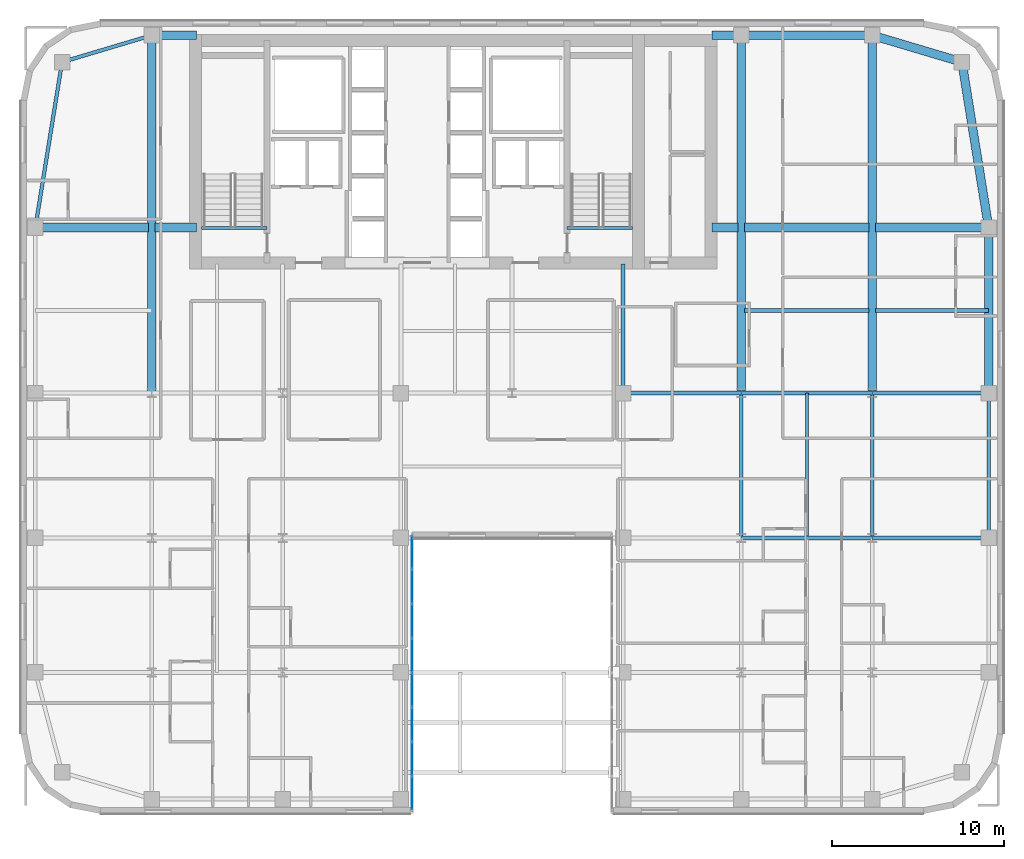
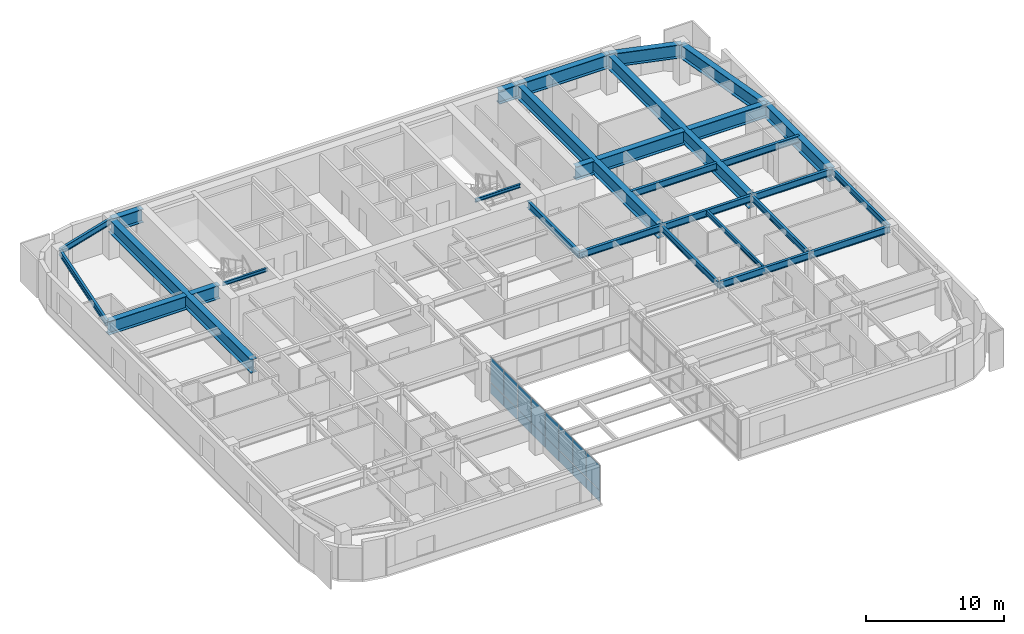
# One storey, part 12 of 24: 30 beams, 16 plates, 1 element without a shape of its own.
"""IFC4 building model written with IfcOpenShell, lengths in metres."""

import ifcopenshell
import ifcopenshell.guid

model = None  # the IFC model being written
_history = None  # IfcOwnerHistory: only IFC2X3 demands one
_inside = {}  # id of a spatial element -> (the spatial element, [elements in it])
_under = {}  # id of a project, library or spatial element -> (it, [spatial elements below it])
_declared = {}  # id of a project -> (the project, [libraries it declares])
_typed = {}  # id of a type object -> (the type object, [elements of that type])
_made_of = {}  # id of a material, layer set ... -> (it, [elements and type objects made of it])


def new_model(schema):
    """Start an empty IFC model of exactly this schema.

    Asked for "IFC4X3", IfcOpenShell would pick the latest addendum, in which some entities
    have other attributes; the version numbers below select the first issue.
    IFC2X3 requires an IfcOwnerHistory on every rooted entity: one is made here for all.
    """
    global model, _history
    if schema == "IFC4X3":
        model = ifcopenshell.file(schema_version=(4, 3, 0, 0))
    else:
        model = ifcopenshell.file(schema=schema)
    _inside.clear()
    _under.clear()
    _declared.clear()
    _typed.clear()
    _made_of.clear()
    _history = None
    if model.schema == "IFC2X3":
        org = make("IfcOrganization", Name="unknown")
        user = make(
            "IfcPersonAndOrganization",
            ThePerson=make("IfcPerson", FamilyName="unknown"),
            TheOrganization=org,
        )
        app = make(
            "IfcApplication",
            ApplicationDeveloper=org,
            Version="unknown",
            ApplicationFullName="unknown",
            ApplicationIdentifier="unknown",
        )
        _history = make(
            "IfcOwnerHistory",
            OwningUser=user,
            OwningApplication=app,
            ChangeAction="ADDED",
            CreationDate=0,
        )
    return model


def make(cls, **values):
    """One entity of the class cls with the attributes given. An attribute that is None is left unset."""
    return model.create_entity(
        cls, **{name: value for name, value in values.items() if value is not None}
    )


def rooted(cls, **values):
    """An entity with a GlobalId (a new one), such as an element, a storey or a relation."""
    return make(cls, GlobalId=ifcopenshell.guid.new(), OwnerHistory=_history, **values)


def si_unit(unit_type, name, prefix=None):
    """IfcSIUnit, for example si_unit("LENGTHUNIT", "METRE", prefix="MILLI")."""
    return make("IfcSIUnit", UnitType=unit_type, Prefix=prefix, Name=name)


def assignment(units):
    """IfcUnitAssignment: the units of a project."""
    return None if units is None else make("IfcUnitAssignment", Units=units)


def point(xyz):
    """IfcCartesianPoint."""
    return None if xyz is None else make("IfcCartesianPoint", Coordinates=xyz)


def direction(xyz):
    """IfcDirection."""
    return None if xyz is None else make("IfcDirection", DirectionRatios=xyz)


def frame(location, z_axis=None, x_axis=None):
    """IfcAxis2Placement3D, a coordinate frame: its origin and axes. An axis left out is left unset."""
    return make(
        "IfcAxis2Placement3D",
        Location=point(location),
        Axis=direction(z_axis),
        RefDirection=direction(x_axis),
    )


def frame_2d(location, x_axis=None):
    """IfcAxis2Placement2D, a coordinate frame in the plane: its origin and x axis."""
    return make(
        "IfcAxis2Placement2D", Location=point(location), RefDirection=direction(x_axis)
    )


def origin():
    """The frame at (0, 0, 0) with its axes left unset."""
    return frame((0.0, 0.0, 0.0))


def origin_2d():
    """The frame at (0, 0) in the plane with its x axis left unset."""
    return frame_2d((0.0, 0.0))


def place(relative_to, where):
    """IfcLocalPlacement: puts the frame where relative to a parent placement (None: the world)."""
    return make(
        "IfcLocalPlacement", PlacementRelTo=relative_to, RelativePlacement=where
    )


def context(
    kind, dimensions, precision=None, world=None, true_north=None, identifier=None
):
    """IfcGeometricRepresentationContext, for example the 3D "Model" context."""
    return make(
        "IfcGeometricRepresentationContext",
        ContextIdentifier=identifier,
        ContextType=kind,
        CoordinateSpaceDimension=dimensions,
        Precision=precision,
        WorldCoordinateSystem=world,
        TrueNorth=true_north,
    )


def subcontext(parent, identifier, kind, view, scale=None):
    """IfcGeometricRepresentationSubContext, for example "Body" below "Model"."""
    return make(
        "IfcGeometricRepresentationSubContext",
        ContextIdentifier=identifier,
        ContextType=kind,
        ParentContext=parent,
        TargetScale=scale,
        TargetView=view,
    )


def project(units=None, contexts=None):
    """IfcProject with its units and contexts."""
    return rooted(
        "IfcProject",
        Name="project",
        RepresentationContexts=contexts,
        UnitsInContext=assignment(units),
    )


def spatial(cls, under=None, at=None, **own):
    """A site, building, storey or space (cls), placed at a placement, below another one or the project."""
    s = rooted(cls, ObjectPlacement=at, **own)
    if under is not None:
        _under.setdefault(under.id(), (under, []))[1].append(s)
    return s


def profile(cls, at=None, kind="AREA", **sizes):
    """A parametric profile (cls). Its sizes go by their IFC names, for example OverallWidth=200.0."""
    return make(cls, ProfileType=kind, Position=at, **sizes)


def rectangle(**sizes):
    """IfcRectangleProfileDef."""
    return profile("IfcRectangleProfileDef", **sizes)


def i_section(**sizes):
    """IfcIShapeProfileDef."""
    return profile("IfcIShapeProfileDef", **sizes)


def extrude(swept, where, along, depth):
    """IfcExtrudedAreaSolid: the profile swept, set in the frame where, extruded along a direction by depth."""
    return make(
        "IfcExtrudedAreaSolid",
        SweptArea=swept,
        Position=where,
        ExtrudedDirection=direction(along),
        Depth=depth,
    )


def shape(context_of_items, identifier, shape_type, items):
    """IfcShapeRepresentation: the items that make up one representation, for example the "Body"."""
    return make(
        "IfcShapeRepresentation",
        ContextOfItems=context_of_items,
        RepresentationIdentifier=identifier,
        RepresentationType=shape_type,
        Items=items,
    )


def source(mapping_origin, context_of_items, identifier, shape_type, items):
    """IfcRepresentationMap: a shape defined once, which mapped items show again and again."""
    return make(
        "IfcRepresentationMap",
        MappingOrigin=mapping_origin,
        MappedRepresentation=shape(context_of_items, identifier, shape_type, items),
    )


def transform(
    local_origin,
    x_axis=None,
    y_axis=None,
    z_axis=None,
    scale=None,
    scale2=None,
    scale3=None,
    uniform=True,
):
    """IfcCartesianTransformationOperator3D, or its non-uniform kind. x_axis, y_axis, z_axis: its Axis1, 2, 3."""
    if uniform:
        return make(
            "IfcCartesianTransformationOperator3D",
            Axis1=direction(x_axis),
            Axis2=direction(y_axis),
            LocalOrigin=point(local_origin),
            Scale=scale,
            Axis3=direction(z_axis),
        )
    return make(
        "IfcCartesianTransformationOperator3DnonUniform",
        Axis1=direction(x_axis),
        Axis2=direction(y_axis),
        LocalOrigin=point(local_origin),
        Scale=scale,
        Axis3=direction(z_axis),
        Scale2=scale2,
        Scale3=scale3,
    )


def mapped(mapping_source, mapping_target):
    """IfcMappedItem: shows the shape of a source again, moved by a transform."""
    return make(
        "IfcMappedItem", MappingSource=mapping_source, MappingTarget=mapping_target
    )


def material(Name=None, Category=None):
    """IfcMaterial."""
    return make("IfcMaterial", Name=Name, Category=Category)


def layer(
    of_material, thickness, ventilated=None, Name=None, Category=None, Priority=None
):
    """IfcMaterialLayer: one layer of a wall or slab, of a material (None: an air gap)."""
    return make(
        "IfcMaterialLayer",
        Material=of_material,
        LayerThickness=thickness,
        IsVentilated=ventilated,
        Name=Name,
        Category=Category,
        Priority=Priority,
    )


def layer_set(layers, Name=None):
    """IfcMaterialLayerSet."""
    return make("IfcMaterialLayerSet", MaterialLayers=layers, LayerSetName=Name)


def material_profile(
    of_material, cross_section, Name=None, Category=None, Priority=None
):
    """IfcMaterialProfile: a cross section and its material."""
    return make(
        "IfcMaterialProfile",
        Name=Name,
        Material=of_material,
        Profile=cross_section,
        Priority=Priority,
        Category=Category,
    )


def profile_set(profiles, Name=None, composite=None):
    """IfcMaterialProfileSet."""
    return make(
        "IfcMaterialProfileSet",
        Name=Name,
        MaterialProfiles=profiles,
        CompositeProfile=composite,
    )


def made_of(thing, what):
    """Note that an element or type object is made of a material, layer set ...; save() writes the relation."""
    if what is not None:
        _made_of.setdefault(what.id(), (what, []))[1].append(thing)
    return thing


def type_object(cls, material=None, **own):
    """A type object (cls), such as IfcWallType, which elements share."""
    return made_of(rooted(cls, **own), material)


def type_shapes(of_type, sources):
    """Give a type object the sources (RepresentationMaps) that its elements show as mapped items."""
    of_type.RepresentationMaps = sources


def element(
    cls,
    number,
    at=None,
    inside=None,
    cuts=None,
    type_object=None,
    material=None,
    context=None,
    identifier="Body",
    shape_type=None,
    held_by="IfcProductDefinitionShape",
    body=None,
    shapes=None,
    **own,
):
    """One element of the class cls, such as IfcWall. Its Tag is "e" and its number.

    at: its placement. inside: the storey or other place that contains it. cuts: it is an
    opening in that element (IfcRelVoidsElement). A single representation is given by context,
    identifier, shape_type and body (its items); several are given by shapes. held_by: the class
    of the entity that holds the representations. save() writes the other relations.
    """
    e = rooted(cls, Tag="e%d" % number, ObjectPlacement=at, **own)
    if body is not None:
        shapes = [shape(context, identifier, shape_type, body)]
    if shapes is not None:
        e.Representation = make(held_by, Representations=shapes)
    if inside is not None:
        _inside.setdefault(inside.id(), (inside, []))[1].append(e)
    if cuts is not None:
        rooted(
            "IfcRelVoidsElement", RelatingBuildingElement=cuts, RelatedOpeningElement=e
        )
    if type_object is not None:
        _typed.setdefault(type_object.id(), (type_object, []))[1].append(e)
    return made_of(e, material)


def aggregate(whole, parts):
    """IfcRelAggregates: a whole, such as a stair, and the parts it consists of."""
    return rooted("IfcRelAggregates", RelatingObject=whole, RelatedObjects=parts)


def save(model, path):
    """Write the relations noted so far, then the file.

    IfcRelAggregates (storeys below a building ...), IfcRelContainedInSpatialStructure (elements
    in a storey), IfcRelDefinesByType, IfcRelAssociatesMaterial and IfcRelDeclares: one each for
    every whole, place, type object, material and project.
    """
    for whole, parts in _under.values():
        aggregate(whole, parts)
    for where, things in _inside.values():
        rooted(
            "IfcRelContainedInSpatialStructure",
            RelatedElements=things,
            RelatingStructure=where,
        )
    for kind, things in _typed.values():
        rooted("IfcRelDefinesByType", RelatedObjects=things, RelatingType=kind)
    for what, things in _made_of.values():
        rooted("IfcRelAssociatesMaterial", RelatedObjects=things, RelatingMaterial=what)
    for by, libraries in _declared.values():
        rooted("IfcRelDeclares", RelatingContext=by, RelatedDefinitions=libraries)
    model.write(path)


model = new_model("IFC4")

# Units and contexts
model_context = context("Model", 3, precision=1e-05, world=origin(), true_north=direction((0.0, 1.0)))
body_context = subcontext(model_context, "Body", "Model", "MODEL_VIEW")
ifc_project = project(units=[si_unit("LENGTHUNIT", "METRE"), si_unit("AREAUNIT", "SQUARE_METRE"), si_unit("VOLUMEUNIT", "CUBIC_METRE"), si_unit("PLANEANGLEUNIT", "RADIAN"), si_unit("MASSUNIT", "GRAM", prefix="KILO")], contexts=[model_context])

# Site, building, storey
site_placement = place(None, origin())
site = spatial("IfcSite", under=ifc_project, at=site_placement, CompositionType="ELEMENT")
building_placement = place(site_placement, origin())
building = spatial("IfcBuilding", under=site, at=building_placement, Name="Tolvann Quenvar Hotel", CompositionType="ELEMENT")
storey_placement = place(building_placement, frame((0.0, 0.0, 118.64990234375)))
storey = spatial("IfcBuildingStorey", under=building, at=storey_placement, Name="L30", CompositionType="ELEMENT", Elevation=118.64990234375)

# Beams
ifc_material_1 = material(Name="Steel Grade 350", Category="steel")
ifc_material_profile_1 = material_profile(ifc_material_1, i_section(OverallWidth=0.5, OverallDepth=1.199951171875, WebThickness=0.01611328125, FlangeThickness=0.0400390625, at=origin_2d()), Name="1200WB455")
ifc_profile_set_1 = profile_set([ifc_material_profile_1], Name="Steel Grade 350")
beam_type_1 = type_object("IfcBeamType", Name="BM_TG_1200WB455", PredefinedType="USERDEFINED", material=ifc_profile_set_1)
shared_shape_1 = source(origin(), body_context, "Body", "SweptSolid", [
    extrude(i_section(OverallWidth=0.5, OverallDepth=1.199951171875, WebThickness=0.01611328125, FlangeThickness=0.0400390625, at=origin_2d()), origin(), (0.0, 0.0, 1.0), 7.599853515625),
])
beam_1_placement = place(storey_placement, frame((49.39990234375, 45.14990234375, 2.77001953125), z_axis=(-1.0, 0.0, 0.0), x_axis=(0.0, -1.0, 0.0)))
element("IfcBeam", 1, at=beam_1_placement, inside=storey, type_object=beam_type_1, Name="BM-L30-FLK-E4", ObjectType="TRANSFER GIRDER", PredefinedType="USERDEFINED", context=body_context, shape_type="MappedRepresentation", body=[
    mapped(shared_shape_1, transform((0.0, 0.0, 0.0), x_axis=(1.0, 0.0, 0.0), y_axis=(0.0, 1.0, 0.0), z_axis=(0.0, 0.0, 1.0), scale=1.0)),
])
shared_shape_2 = source(origin(), body_context, "Body", "SweptSolid", [
    extrude(i_section(OverallWidth=0.5, OverallDepth=1.199951171875, WebThickness=0.01611328125, FlangeThickness=0.0400390625, at=origin_2d()), origin(), (0.0, 0.0, 1.0), 9.60009765625),
])
beam_2_placement = place(storey_placement, frame((56.14990234375, 24.39990234375, 2.77001953125), z_axis=(0.0, 1.0, 0.0), x_axis=(-1.0, 0.0, 0.0)))
element("IfcBeam", 2, at=beam_2_placement, inside=storey, type_object=beam_type_1, Name="BM-L30-FLK-E1", ObjectType="TRANSFER GIRDER", PredefinedType="USERDEFINED", context=body_context, shape_type="MappedRepresentation", body=[
    mapped(shared_shape_2, transform((0.0, 0.0, 0.0), x_axis=(1.0, 0.0, 0.0), y_axis=(0.0, 1.0, 0.0), z_axis=(0.0, 0.0, 1.0), scale=1.0)),
])
ifc_material_profile_2 = material_profile(ifc_material_1, i_section(OverallWidth=0.208984375, OverallDepth=0.528076171875, WebThickness=0.009521484375, FlangeThickness=0.01318359375, FilletRadius=0.013916015625, at=origin_2d()), Name="530UB82")
ifc_profile_set_2 = profile_set([ifc_material_profile_2], Name="Steel Grade 350")
beam_type_2 = type_object("IfcBeamType", Name="BM_SPAND_530UB82", PredefinedType="SPANDREL", material=ifc_profile_set_2)
shared_shape_3 = source(origin(), body_context, "Body", "SweptSolid", [
    extrude(i_section(OverallWidth=0.208984375, OverallDepth=0.528076171875, WebThickness=0.009521484375, FlangeThickness=0.01318359375, FilletRadius=0.013916015625, at=origin_2d()), origin(), (0.0, 0.0, 1.0), 5.42626953125),
])
beam_3_placement = place(storey_placement, frame((2.39990234375, 43.60009765625, 3.106201171875), z_axis=(0.958344815522, 0.285613750654, 0.0), x_axis=(-0.285613750654, 0.958344815522, 0.0)))
element("IfcBeam", 3, at=beam_3_placement, inside=storey, type_object=beam_type_2, Name="BM-L30-FLK-W3", PredefinedType="SPANDREL", context=body_context, shape_type="MappedRepresentation", body=[
    mapped(shared_shape_3, transform((0.0, 0.0, 0.0), x_axis=(1.0, 0.0, 0.0), y_axis=(0.0, 1.0, 0.0), z_axis=(0.0, 0.0, 1.0), scale=1.0)),
])
ifc_material_profile_3 = material_profile(ifc_material_1, i_section(OverallWidth=0.22900390625, OverallDepth=0.612060546875, WebThickness=0.011962890625, FlangeThickness=0.01953125, FilletRadius=0.013916015625, at=origin_2d()), Name="610UB125")
ifc_profile_set_3 = profile_set([ifc_material_profile_3], Name="Steel Grade 350")
beam_type_3 = type_object("IfcBeamType", Name="BM_GIRD_610UB125", PredefinedType="BEAM", material=ifc_profile_set_3)
shared_shape_4 = source(origin(), body_context, "Body", "SweptSolid", [
    extrude(i_section(OverallWidth=0.22900390625, OverallDepth=0.612060546875, WebThickness=0.011962890625, FlangeThickness=0.01953125, FilletRadius=0.013916015625, at=origin_2d()), origin(), (0.0, 0.0, 1.0), 6.75),
])
for number, where, z_axis, x_axis, name in (
    (4, (49.39990234375, 16.0, 3.064208984375), (1.0, 0.0, 0.0), (0.0, 1.0, 0.0), "BM-L30-EW-4-I4-J4"),
    (5, (49.39990234375, 24.39990234375, 3.064208984375), (1.0, 0.0, 0.0), (0.0, 1.0, 0.0), "BM-L30-EW-5-I5-J5"),
):
    element("IfcBeam", number, at=place(storey_placement, frame(where, z_axis=z_axis, x_axis=x_axis)), inside=storey, type_object=beam_type_3, Name=name, PredefinedType="BEAM", context=body_context, shape_type="MappedRepresentation", body=[
        mapped(shared_shape_4, transform((0.0, 0.0, 0.0), x_axis=(1.0, 0.0, 0.0), y_axis=(0.0, 1.0, 0.0), z_axis=(0.0, 0.0, 1.0), scale=1.0)),
    ])
shared_shape_5 = source(origin(), body_context, "Body", "SweptSolid", [
    extrude(i_section(OverallWidth=0.22900390625, OverallDepth=0.612060546875, WebThickness=0.011962890625, FlangeThickness=0.01953125, FilletRadius=0.013916015625, at=origin_2d()), origin(), (0.0, 0.0, 1.0), 7.599853515625),
])
for number, where, z_axis, x_axis, name in (
    (6, (41.800048828125, 16.0, 3.064208984375), (1.0, 0.0, 0.0), (0.0, 1.0, 0.0), "BM-L30-EW-4-H4-I4"),
    (7, (41.800048828125, 24.39990234375, 3.064208984375), (1.0, 0.0, 0.0), (0.0, 1.0, 0.0), "BM-L30-EW-5-H5-I5"),
):
    element("IfcBeam", number, at=place(storey_placement, frame(where, z_axis=z_axis, x_axis=x_axis)), inside=storey, type_object=beam_type_3, Name=name, PredefinedType="BEAM", context=body_context, shape_type="MappedRepresentation", body=[
        mapped(shared_shape_5, transform((0.0, 0.0, 0.0), x_axis=(1.0, 0.0, 0.0), y_axis=(0.0, 1.0, 0.0), z_axis=(0.0, 0.0, 1.0), scale=1.0)),
    ])
shared_shape_6 = source(origin(), body_context, "Body", "SweptSolid", [
    extrude(i_section(OverallWidth=0.22900390625, OverallDepth=0.612060546875, WebThickness=0.011962890625, FlangeThickness=0.01953125, FilletRadius=0.013916015625, at=origin_2d()), origin(), (0.0, 0.0, 1.0), 6.85009765625),
])
beam_4_placement = place(storey_placement, frame((34.949951171875, 24.39990234375, 3.064208984375), z_axis=(1.0, 0.0, 0.0), x_axis=(0.0, 1.0, 0.0)))
element("IfcBeam", 8, at=beam_4_placement, inside=storey, type_object=beam_type_3, Name="BM-L30-EW-5-F5-H5", PredefinedType="BEAM", context=body_context, shape_type="MappedRepresentation", body=[
    mapped(shared_shape_6, transform((0.0, 0.0, 0.0), x_axis=(1.0, 0.0, 0.0), y_axis=(0.0, 1.0, 0.0), z_axis=(0.0, 0.0, 1.0), scale=1.0)),
])
shared_shape_7 = source(origin(), body_context, "Body", "SweptSolid", [
    extrude(i_section(OverallWidth=0.208984375, OverallDepth=0.528076171875, WebThickness=0.009521484375, FlangeThickness=0.01318359375, FilletRadius=0.013916015625, at=origin_2d()), origin(), (0.0, 0.0, 1.0), 8.39990234375),
])
beam_5_placement = place(storey_placement, frame((56.14990234375, 16.0, 3.106201171875), z_axis=(0.0, 1.0, 0.0), x_axis=(-1.0, 0.0, 0.0)))
element("IfcBeam", 9, at=beam_5_placement, inside=storey, type_object=beam_type_2, Name="BM-L30-NS-J4-J5", PredefinedType="SPANDREL", context=body_context, shape_type="MappedRepresentation", body=[
    mapped(shared_shape_7, transform((0.0, 0.0, 0.0), x_axis=(1.0, 0.0, 0.0), y_axis=(0.0, 1.0, 0.0), z_axis=(0.0, 0.0, 1.0), scale=1.0)),
])
ifc_material_profile_4 = material_profile(ifc_material_1, i_section(OverallWidth=0.208984375, OverallDepth=0.532958984375, WebThickness=0.01025390625, FlangeThickness=0.015625, FilletRadius=0.013916015625, at=origin_2d()), Name="530UB92")
ifc_profile_set_4 = profile_set([ifc_material_profile_4], Name="Steel Grade 350")
beam_type_4 = type_object("IfcBeamType", Name="BM_GIRD_530UB92", PredefinedType="BEAM", material=ifc_profile_set_4)
shared_shape_8 = source(origin(), body_context, "Body", "SweptSolid", [
    extrude(i_section(OverallWidth=0.208984375, OverallDepth=0.532958984375, WebThickness=0.01025390625, FlangeThickness=0.015625, FilletRadius=0.013916015625, at=origin_2d()), origin(), (0.0, 0.0, 1.0), 8.39990234375),
])
type_shapes(beam_type_4, [shared_shape_8])
for number, where, z_axis, x_axis, name in (
    (10, (41.800048828125, 16.0, 3.103515625), (0.0, 1.0, 0.0), (-1.0, 0.0, 0.0), "BM-L30-NS-H4-H5"),
    (11, (49.39990234375, 16.0, 3.103515625), (0.0, 1.0, 0.0), (-1.0, 0.0, 0.0), "BM-L30-NS-I4-I5"),
):
    element("IfcBeam", number, at=place(storey_placement, frame(where, z_axis=z_axis, x_axis=x_axis)), inside=storey, type_object=beam_type_4, Name=name, PredefinedType="BEAM", context=body_context, shape_type="MappedRepresentation", body=[
        mapped(shared_shape_8, transform((0.0, 0.0, 0.0), x_axis=(1.0, 0.0, 0.0), y_axis=(0.0, 1.0, 0.0), z_axis=(0.0, 0.0, 1.0), scale=1.0)),
    ])
shared_shape_9 = source(origin(), body_context, "Body", "SweptSolid", [
    extrude(i_section(OverallWidth=0.22900390625, OverallDepth=0.612060546875, WebThickness=0.011962890625, FlangeThickness=0.01953125, FilletRadius=0.013916015625, at=origin_2d()), origin(), (0.0, 0.0, 1.0), 7.5),
])
beam_6_placement = place(storey_placement, frame((34.949951171875, 24.39990234375, 3.064208984375), z_axis=(0.0, 1.0, 0.0), x_axis=(-1.0, 0.0, 0.0)))
element("IfcBeam", 12, at=beam_6_placement, inside=storey, type_object=beam_type_3, Name="BM-L30-CORE-F5", PredefinedType="BEAM", context=body_context, shape_type="MappedRepresentation", body=[
    mapped(shared_shape_9, transform((0.0, 0.0, 0.0), x_axis=(1.0, 0.0, 0.0), y_axis=(0.0, 1.0, 0.0), z_axis=(0.0, 0.0, 1.0), scale=1.0)),
])
shared_shape_10 = source(origin(), body_context, "Body", "SweptSolid", [
    extrude(i_section(OverallWidth=0.208984375, OverallDepth=0.528076171875, WebThickness=0.009521484375, FlangeThickness=0.01318359375, FilletRadius=0.013916015625, at=origin_2d()), origin(), (0.0, 0.0, 1.0), 9.724365234375),
])
type_shapes(beam_type_2, [shared_shape_3, shared_shape_7, shared_shape_10])
beam_7_placement = place(storey_placement, frame((0.85009765625, 34.0, 3.106201171875), z_axis=(0.159372939192, 0.987218449105, 0.0), x_axis=(-0.987218449105, 0.159372939192, 0.0)))
element("IfcBeam", 13, at=beam_7_placement, inside=storey, type_object=beam_type_2, Name="BM-L30-FLK-W2", PredefinedType="SPANDREL", context=body_context, shape_type="MappedRepresentation", body=[
    mapped(shared_shape_10, transform((0.0, 0.0, 0.0), x_axis=(1.0, 0.0, 0.0), y_axis=(0.0, 1.0, 0.0), z_axis=(0.0, 0.0, 1.0), scale=1.0)),
])
shared_shape_11 = source(origin(), body_context, "Body", "SweptSolid", [
    extrude(i_section(OverallWidth=0.5, OverallDepth=1.199951171875, WebThickness=0.01611328125, FlangeThickness=0.0400390625, at=origin_2d()), origin(), (0.0, 0.0, 1.0), 20.75),
])
for number, where, z_axis, x_axis, name in (
    (14, (7.60009765625, 24.39990234375, 2.77001953125), (0.0, 1.0, 0.0), (-1.0, 0.0, 0.0), "BM-L30-FLK-WC"),
    (15, (41.800048828125, 24.39990234375, 2.77001953125), (0.0, 1.0, 0.0), (-1.0, 0.0, 0.0), "BM-L30-FLK-EH"),
    (16, (49.39990234375, 24.39990234375, 2.77001953125), (0.0, 1.0, 0.0), (-1.0, 0.0, 0.0), "BM-L30-FLK-EI"),
):
    element("IfcBeam", number, at=place(storey_placement, frame(where, z_axis=z_axis, x_axis=x_axis)), inside=storey, type_object=beam_type_1, Name=name, ObjectType="TRANSFER GIRDER", PredefinedType="USERDEFINED", context=body_context, shape_type="MappedRepresentation", body=[
        mapped(shared_shape_11, transform((0.0, 0.0, 0.0), x_axis=(1.0, 0.0, 0.0), y_axis=(0.0, 1.0, 0.0), z_axis=(0.0, 0.0, 1.0), scale=1.0)),
    ])
shared_shape_12 = source(origin(), body_context, "Body", "SweptSolid", [
    extrude(i_section(OverallWidth=0.5, OverallDepth=1.199951171875, WebThickness=0.01611328125, FlangeThickness=0.0400390625, at=origin_2d()), origin(), (0.0, 0.0, 1.0), 6.56982421875),
])
for number, where, z_axis, x_axis, name in (
    (17, (0.85009765625, 34.0, 2.77001953125), (1.0, 0.0, 0.0), (0.0, 1.0, 0.0), "BM-L30-CTW-MID1"),
    (18, (49.580078125, 34.0, 2.77001953125), (1.0, 0.0, 0.0), (0.0, 1.0, 0.0), "BM-L30-CTE-JD6C"),
):
    element("IfcBeam", number, at=place(storey_placement, frame(where, z_axis=z_axis, x_axis=x_axis)), inside=storey, type_object=beam_type_1, Name=name, ObjectType="TRANSFER GIRDER", PredefinedType="USERDEFINED", context=body_context, shape_type="MappedRepresentation", body=[
        mapped(shared_shape_12, transform((0.0, 0.0, 0.0), x_axis=(1.0, 0.0, 0.0), y_axis=(0.0, 1.0, 0.0), z_axis=(0.0, 0.0, 1.0), scale=1.0)),
    ])
shared_shape_13 = source(origin(), body_context, "Body", "SweptSolid", [
    extrude(i_section(OverallWidth=0.5, OverallDepth=1.199951171875, WebThickness=0.01611328125, FlangeThickness=0.0400390625, at=origin_2d()), origin(), (0.0, 0.0, 1.0), 2.419921875),
])
beam_8_placement = place(storey_placement, frame((7.780029296875, 34.0, 2.77001953125), z_axis=(1.0, 0.0, 0.0), x_axis=(0.0, 1.0, 0.0)))
element("IfcBeam", 19, at=beam_8_placement, inside=storey, type_object=beam_type_1, Name="BM-L30-CTW-MID2", ObjectType="TRANSFER GIRDER", PredefinedType="USERDEFINED", context=body_context, shape_type="MappedRepresentation", body=[
    mapped(shared_shape_13, transform((0.0, 0.0, 0.0), x_axis=(1.0, 0.0, 0.0), y_axis=(0.0, 1.0, 0.0), z_axis=(0.0, 0.0, 1.0), scale=1.0)),
])
shared_shape_14 = source(origin(), body_context, "Body", "SweptSolid", [
    extrude(i_section(OverallWidth=0.5, OverallDepth=1.199951171875, WebThickness=0.01611328125, FlangeThickness=0.0400390625, at=origin_2d()), origin(), (0.0, 0.0, 1.0), 2.599853515625),
])
beam_9_placement = place(storey_placement, frame((7.60009765625, 45.14990234375, 2.77001953125), z_axis=(1.0, 0.0, 0.0), x_axis=(0.0, 1.0, 0.0)))
element("IfcBeam", 20, at=beam_9_placement, inside=storey, type_object=beam_type_1, Name="BM-L30-CTW-CN", ObjectType="TRANSFER GIRDER", PredefinedType="USERDEFINED", context=body_context, shape_type="MappedRepresentation", body=[
    mapped(shared_shape_14, transform((0.0, 0.0, 0.0), x_axis=(1.0, 0.0, 0.0), y_axis=(0.0, 1.0, 0.0), z_axis=(0.0, 0.0, 1.0), scale=1.0)),
])
shared_shape_15 = source(origin(), body_context, "Body", "SweptSolid", [
    extrude(i_section(OverallWidth=0.5, OverallDepth=1.199951171875, WebThickness=0.01611328125, FlangeThickness=0.0400390625, at=origin_2d()), origin(), (0.0, 0.0, 1.0), 9.724365234375),
])
beam_10_placement = place(storey_placement, frame((56.14990234375, 34.0, 2.77001953125), z_axis=(-0.159372939192, 0.987218449105, 0.0), x_axis=(-0.987218449105, -0.159372939192, 0.0)))
element("IfcBeam", 21, at=beam_10_placement, inside=storey, type_object=beam_type_1, Name="BM-L30-FLK-E2", ObjectType="TRANSFER GIRDER", PredefinedType="USERDEFINED", context=body_context, shape_type="MappedRepresentation", body=[
    mapped(shared_shape_15, transform((0.0, 0.0, 0.0), x_axis=(1.0, 0.0, 0.0), y_axis=(0.0, 1.0, 0.0), z_axis=(0.0, 0.0, 1.0), scale=1.0)),
])
shared_shape_16 = source(origin(), body_context, "Body", "SweptSolid", [
    extrude(i_section(OverallWidth=0.5, OverallDepth=1.199951171875, WebThickness=0.01611328125, FlangeThickness=0.0400390625, at=origin_2d()), origin(), (0.0, 0.0, 1.0), 5.42626953125),
])
beam_11_placement = place(storey_placement, frame((54.60009765625, 43.60009765625, 2.77001953125), z_axis=(-0.958344815522, 0.285613750654, 0.0), x_axis=(-0.285613750654, -0.958344815522, 0.0)))
element("IfcBeam", 22, at=beam_11_placement, inside=storey, type_object=beam_type_1, Name="BM-L30-FLK-E3", ObjectType="TRANSFER GIRDER", PredefinedType="USERDEFINED", context=body_context, shape_type="MappedRepresentation", body=[
    mapped(shared_shape_16, transform((0.0, 0.0, 0.0), x_axis=(1.0, 0.0, 0.0), y_axis=(0.0, 1.0, 0.0), z_axis=(0.0, 0.0, 1.0), scale=1.0)),
])
shared_shape_17 = source(origin(), body_context, "Body", "SweptSolid", [
    extrude(i_section(OverallWidth=0.5, OverallDepth=1.199951171875, WebThickness=0.01611328125, FlangeThickness=0.0400390625, at=origin_2d()), origin(), (0.0, 0.0, 1.0), 1.699951171875),
])
beam_12_placement = place(storey_placement, frame((40.10009765625, 45.14990234375, 2.77001953125), z_axis=(1.0, 0.0, 0.0), x_axis=(0.0, 1.0, 0.0)))
element("IfcBeam", 23, at=beam_12_placement, inside=storey, type_object=beam_type_1, Name="BM-L30-CTE-HN", ObjectType="TRANSFER GIRDER", PredefinedType="USERDEFINED", context=body_context, shape_type="MappedRepresentation", body=[
    mapped(shared_shape_17, transform((0.0, 0.0, 0.0), x_axis=(1.0, 0.0, 0.0), y_axis=(0.0, 1.0, 0.0), z_axis=(0.0, 0.0, 1.0), scale=1.0)),
])
shared_shape_18 = source(origin(), body_context, "Body", "SweptSolid", [
    extrude(i_section(OverallWidth=0.5, OverallDepth=1.199951171875, WebThickness=0.01611328125, FlangeThickness=0.0400390625, at=origin_2d()), origin(), (0.0, 0.0, 1.0), 1.52001953125),
])
beam_13_placement = place(storey_placement, frame((40.10009765625, 34.0, 2.77001953125), z_axis=(1.0, 0.0, 0.0), x_axis=(0.0, 1.0, 0.0)))
element("IfcBeam", 24, at=beam_13_placement, inside=storey, type_object=beam_type_1, Name="BM-L30-CTE-JD6A", ObjectType="TRANSFER GIRDER", PredefinedType="USERDEFINED", context=body_context, shape_type="MappedRepresentation", body=[
    mapped(shared_shape_18, transform((0.0, 0.0, 0.0), x_axis=(1.0, 0.0, 0.0), y_axis=(0.0, 1.0, 0.0), z_axis=(0.0, 0.0, 1.0), scale=1.0)),
])
shared_shape_19 = source(origin(), body_context, "Body", "SweptSolid", [
    extrude(i_section(OverallWidth=0.5, OverallDepth=1.199951171875, WebThickness=0.01611328125, FlangeThickness=0.0400390625, at=origin_2d()), origin(), (0.0, 0.0, 1.0), 7.239990234375),
])
type_shapes(beam_type_1, [shared_shape_1, shared_shape_2, shared_shape_11, shared_shape_12, shared_shape_13, shared_shape_14, shared_shape_15, shared_shape_16, shared_shape_17, shared_shape_18, shared_shape_19])
beam_14_placement = place(storey_placement, frame((41.97998046875, 34.0, 2.77001953125), z_axis=(1.0, 0.0, 0.0), x_axis=(0.0, 1.0, 0.0)))
element("IfcBeam", 25, at=beam_14_placement, inside=storey, type_object=beam_type_1, Name="BM-L30-CTE-JD6B", ObjectType="TRANSFER GIRDER", PredefinedType="USERDEFINED", context=body_context, shape_type="MappedRepresentation", body=[
    mapped(shared_shape_19, transform((0.0, 0.0, 0.0), x_axis=(1.0, 0.0, 0.0), y_axis=(0.0, 1.0, 0.0), z_axis=(0.0, 0.0, 1.0), scale=1.0)),
])
shared_shape_20 = source(origin(), body_context, "Body", "SweptSolid", [
    extrude(i_section(OverallWidth=0.22900390625, OverallDepth=0.612060546875, WebThickness=0.011962890625, FlangeThickness=0.01953125, FilletRadius=0.013916015625, at=origin_2d()), origin(), (0.0, 0.0, 1.0), 7.239990234375),
])
beam_15_placement = place(storey_placement, frame((41.97998046875, 29.199951171875, 3.064208984375), z_axis=(1.0, 0.0, 0.0), x_axis=(0.0, 1.0, 0.0)))
element("IfcBeam", 26, at=beam_15_placement, inside=storey, type_object=beam_type_3, Name="BM-L30-EW-HI29", PredefinedType="BEAM", context=body_context, shape_type="MappedRepresentation", body=[
    mapped(shared_shape_20, transform((0.0, 0.0, 0.0), x_axis=(1.0, 0.0, 0.0), y_axis=(0.0, 1.0, 0.0), z_axis=(0.0, 0.0, 1.0), scale=1.0)),
])
shared_shape_21 = source(origin(), body_context, "Body", "SweptSolid", [
    extrude(i_section(OverallWidth=0.22900390625, OverallDepth=0.612060546875, WebThickness=0.011962890625, FlangeThickness=0.01953125, FilletRadius=0.013916015625, at=origin_2d()), origin(), (0.0, 0.0, 1.0), 6.56982421875),
])
type_shapes(beam_type_3, [shared_shape_4, shared_shape_5, shared_shape_6, shared_shape_9, shared_shape_20, shared_shape_21])
beam_16_placement = place(storey_placement, frame((49.580078125, 29.199951171875, 3.064208984375), z_axis=(1.0, 0.0, 0.0), x_axis=(0.0, 1.0, 0.0)))
element("IfcBeam", 27, at=beam_16_placement, inside=storey, type_object=beam_type_3, Name="BM-L30-EW-IJ29", PredefinedType="BEAM", context=body_context, shape_type="MappedRepresentation", body=[
    mapped(shared_shape_21, transform((0.0, 0.0, 0.0), x_axis=(1.0, 0.0, 0.0), y_axis=(0.0, 1.0, 0.0), z_axis=(0.0, 0.0, 1.0), scale=1.0)),
])
ifc_material_profile_5 = material_profile(ifc_material_1, i_section(OverallWidth=0.177978515625, OverallDepth=0.406005859375, WebThickness=0.0078125, FlangeThickness=0.0126953125, FilletRadius=0.011474609375, at=origin_2d()), Name="410UB60")
ifc_profile_set_5 = profile_set([ifc_material_profile_5], Name="Steel Grade 350")
beam_type_5 = type_object("IfcBeamType", Name="BM_JOIST_410UB60", PredefinedType="JOIST", material=ifc_profile_set_5)
shared_shape_22 = source(origin(), body_context, "Body", "SweptSolid", [
    extrude(i_section(OverallWidth=0.177978515625, OverallDepth=0.406005859375, WebThickness=0.0078125, FlangeThickness=0.0126953125, FilletRadius=0.011474609375, at=origin_2d()), origin(), (0.0, 0.0, 1.0), 8.29150390625),
])
type_shapes(beam_type_5, [shared_shape_22])
beam_17_placement = place(storey_placement, frame((45.60009765625, 16.1083984375, 3.1669921875), z_axis=(0.0, 1.0, 0.0), x_axis=(-1.0, 0.0, 0.0)))
element("IfcBeam", 28, at=beam_17_placement, inside=storey, type_object=beam_type_5, Name="BJ-L30-456-160", PredefinedType="JOIST", context=body_context, shape_type="MappedRepresentation", body=[
    mapped(shared_shape_22, transform((0.0, 0.0, 0.0), x_axis=(1.0, 0.0, 0.0), y_axis=(0.0, 1.0, 0.0), z_axis=(0.0, 0.0, 1.0), scale=1.0)),
])
ifc_material_profile_6 = material_profile(ifc_material_1, i_section(OverallWidth=0.166015625, OverallDepth=0.306884765625, WebThickness=0.006591796875, FlangeThickness=0.01171875, FilletRadius=0.011474609375, at=origin_2d()), Name="310UB46")
ifc_profile_set_6 = profile_set([ifc_material_profile_6], Name="Steel Grade 350")
beam_type_6 = type_object("IfcBeamType", Name="BM_JOIST_310UB46", PredefinedType="JOIST", material=ifc_profile_set_6)
shared_shape_23 = source(origin(), body_context, "Body", "SweptSolid", [
    extrude(i_section(OverallWidth=0.166015625, OverallDepth=0.306884765625, WebThickness=0.006591796875, FlangeThickness=0.01171875, FilletRadius=0.011474609375, at=origin_2d()), origin(), (0.0, 0.0, 1.0), 3.800048828125),
])
type_shapes(beam_type_6, [shared_shape_23])
for number, where, z_axis, x_axis, name in (
    (29, (10.5, 33.97998046875, 3.216552734375), (1.0, 0.0, 0.0), (0.0, 1.0, 0.0), "BM-HDR-STC1-L31"),
    (30, (31.699951171875, 33.97998046875, 3.216552734375), (1.0, 0.0, 0.0), (0.0, 1.0, 0.0), "BM-HDR-STC2-L31"),
):
    element("IfcBeam", number, at=place(storey_placement, frame(where, z_axis=z_axis, x_axis=x_axis)), inside=storey, type_object=beam_type_6, Name=name, PredefinedType="JOIST", context=body_context, shape_type="MappedRepresentation", body=[
        mapped(shared_shape_23, transform((0.0, 0.0, 0.0), x_axis=(1.0, 0.0, 0.0), y_axis=(0.0, 1.0, 0.0), z_axis=(0.0, 0.0, 1.0), scale=1.0)),
    ])

# Curtain wall, plates
ifc_material_2 = material(Name="Thermally broken anodised architectural aluminium 6063-T6 and laminated low-E glass", Category="aluminium")
ifc_layer_1 = layer(ifc_material_2, 0.179931640625)
ifc_layer_set_1 = layer_set([ifc_layer_1], Name="Thermally broken anodised architectural aluminium 6063-T6 and laminated low-E glass")
curtain_wall_type = type_object("IfcCurtainWallType", Name="CW_SYS_SLOT_03", PredefinedType="USERDEFINED", material=ifc_layer_set_1)
curtain_wall_placement = place(storey_placement, origin())
curtain_wall = element("IfcCurtainWall", 31, at=curtain_wall_placement, inside=storey, type_object=curtain_wall_type, Name="Curtain Wall CW-SLOT-03 (CWR-L30-E05)", ObjectType="UNITISED CURTAIN WALL", PredefinedType="USERDEFINED")
ifc_material_3 = material(Name="Low-iron laminated double glazing with solar-control coating", Category="glass")
ifc_layer_2 = layer(ifc_material_3, 0.028076171875)
ifc_layer_set_2 = layer_set([ifc_layer_2], Name="Low-iron laminated double glazing with solar-control coating")
plate_type = type_object("IfcPlateType", Name="CW_PAN_VISION_28", PredefinedType="CURTAIN_PANEL", material=ifc_layer_set_2)
shared_shape_24 = source(origin(), body_context, "Body", "SweptSolid", [
    extrude(rectangle(XDim=1.89501953125, YDim=0.028076171875, at=origin_2d()), origin(), (0.0, 0.0, 1.0), 0.9599609375),
])
plate_1_placement = place(storey_placement, frame((22.7099609375, 1.1923828125, 0.06005859375), z_axis=(0.0, 0.0, 1.0), x_axis=(0.0, 1.0, 0.0)))
plate_1 = element("IfcPlate", 32, at=plate_1_placement, type_object=plate_type, Name="CW-SLOT-03 panel 1.1", PredefinedType="CURTAIN_PANEL", context=body_context, shape_type="MappedRepresentation", body=[
    mapped(shared_shape_24, transform((0.0, 0.0, 0.0), x_axis=(1.0, 0.0, 0.0), y_axis=(0.0, 1.0, 0.0), z_axis=(0.0, 0.0, 1.0), scale=1.0)),
])
plate_2_placement = place(storey_placement, frame((22.7099609375, 15.157470703125, 0.06005859375), z_axis=(0.0, 0.0, 1.0), x_axis=(0.0, 1.0, 0.0)))
plate_2 = element("IfcPlate", 33, at=plate_2_placement, type_object=plate_type, Name="CW-SLOT-03 panel 8.1", PredefinedType="CURTAIN_PANEL", context=body_context, shape_type="MappedRepresentation", body=[
    mapped(shared_shape_24, transform((0.0, 0.0, 0.0), x_axis=(1.0, 0.0, 0.0), y_axis=(0.0, 1.0, 0.0), z_axis=(0.0, 0.0, 1.0), scale=1.0)),
])
shared_shape_25 = source(origin(), body_context, "Body", "SweptSolid", [
    extrude(rectangle(XDim=1.89501953125, YDim=0.028076171875, at=origin_2d()), origin(), (0.0, 0.0, 1.0), 2.22998046875),
])
plate_3_placement = place(storey_placement, frame((22.7099609375, 1.1923828125, 1.080078125), z_axis=(0.0, 0.0, 1.0), x_axis=(0.0, 1.0, 0.0)))
plate_3 = element("IfcPlate", 34, at=plate_3_placement, type_object=plate_type, Name="CW-SLOT-03 panel 1.2", PredefinedType="CURTAIN_PANEL", context=body_context, shape_type="MappedRepresentation", body=[
    mapped(shared_shape_25, transform((0.0, 0.0, 0.0), x_axis=(1.0, 0.0, 0.0), y_axis=(0.0, 1.0, 0.0), z_axis=(0.0, 0.0, 1.0), scale=1.0)),
])
plate_4_placement = place(storey_placement, frame((22.7099609375, 15.157470703125, 1.080078125), z_axis=(0.0, 0.0, 1.0), x_axis=(0.0, 1.0, 0.0)))
plate_4 = element("IfcPlate", 35, at=plate_4_placement, type_object=plate_type, Name="CW-SLOT-03 panel 8.2", PredefinedType="CURTAIN_PANEL", context=body_context, shape_type="MappedRepresentation", body=[
    mapped(shared_shape_25, transform((0.0, 0.0, 0.0), x_axis=(1.0, 0.0, 0.0), y_axis=(0.0, 1.0, 0.0), z_axis=(0.0, 0.0, 1.0), scale=1.0)),
])
shared_shape_26 = source(origin(), body_context, "Body", "SweptSolid", [
    extrude(rectangle(XDim=1.929931640625, YDim=0.028076171875, at=origin_2d()), origin(), (0.0, 0.0, 1.0), 0.9599609375),
])
plate_5_placement = place(storey_placement, frame((22.7099609375, 3.175048828125, 0.06005859375), z_axis=(0.0, 0.0, 1.0), x_axis=(0.0, 1.0, 0.0)))
plate_5 = element("IfcPlate", 36, at=plate_5_placement, type_object=plate_type, Name="CW-SLOT-03 panel 2.1", PredefinedType="CURTAIN_PANEL", context=body_context, shape_type="MappedRepresentation", body=[
    mapped(shared_shape_26, transform((0.0, 0.0, 0.0), x_axis=(1.0, 0.0, 0.0), y_axis=(0.0, 1.0, 0.0), z_axis=(0.0, 0.0, 1.0), scale=1.0)),
])
plate_6_placement = place(storey_placement, frame((22.7099609375, 5.175048828125, 0.06005859375), z_axis=(0.0, 0.0, 1.0), x_axis=(0.0, 1.0, 0.0)))
plate_6 = element("IfcPlate", 37, at=plate_6_placement, type_object=plate_type, Name="CW-SLOT-03 panel 3.1", PredefinedType="CURTAIN_PANEL", context=body_context, shape_type="MappedRepresentation", body=[
    mapped(shared_shape_26, transform((0.0, 0.0, 0.0), x_axis=(1.0, 0.0, 0.0), y_axis=(0.0, 1.0, 0.0), z_axis=(0.0, 0.0, 1.0), scale=1.0)),
])
plate_7_placement = place(storey_placement, frame((22.7099609375, 7.175048828125, 0.06005859375), z_axis=(0.0, 0.0, 1.0), x_axis=(0.0, 1.0, 0.0)))
plate_7 = element("IfcPlate", 38, at=plate_7_placement, type_object=plate_type, Name="CW-SLOT-03 panel 4.1", PredefinedType="CURTAIN_PANEL", context=body_context, shape_type="MappedRepresentation", body=[
    mapped(shared_shape_26, transform((0.0, 0.0, 0.0), x_axis=(1.0, 0.0, 0.0), y_axis=(0.0, 1.0, 0.0), z_axis=(0.0, 0.0, 1.0), scale=1.0)),
])
plate_8_placement = place(storey_placement, frame((22.7099609375, 9.175048828125, 0.06005859375), z_axis=(0.0, 0.0, 1.0), x_axis=(0.0, 1.0, 0.0)))
plate_8 = element("IfcPlate", 39, at=plate_8_placement, type_object=plate_type, Name="CW-SLOT-03 panel 5.1", PredefinedType="CURTAIN_PANEL", context=body_context, shape_type="MappedRepresentation", body=[
    mapped(shared_shape_26, transform((0.0, 0.0, 0.0), x_axis=(1.0, 0.0, 0.0), y_axis=(0.0, 1.0, 0.0), z_axis=(0.0, 0.0, 1.0), scale=1.0)),
])
plate_9_placement = place(storey_placement, frame((22.7099609375, 11.175048828125, 0.06005859375), z_axis=(0.0, 0.0, 1.0), x_axis=(0.0, 1.0, 0.0)))
plate_9 = element("IfcPlate", 40, at=plate_9_placement, type_object=plate_type, Name="CW-SLOT-03 panel 6.1", PredefinedType="CURTAIN_PANEL", context=body_context, shape_type="MappedRepresentation", body=[
    mapped(shared_shape_26, transform((0.0, 0.0, 0.0), x_axis=(1.0, 0.0, 0.0), y_axis=(0.0, 1.0, 0.0), z_axis=(0.0, 0.0, 1.0), scale=1.0)),
])
plate_10_placement = place(storey_placement, frame((22.7099609375, 13.175048828125, 0.06005859375), z_axis=(0.0, 0.0, 1.0), x_axis=(0.0, 1.0, 0.0)))
plate_10 = element("IfcPlate", 41, at=plate_10_placement, type_object=plate_type, Name="CW-SLOT-03 panel 7.1", PredefinedType="CURTAIN_PANEL", context=body_context, shape_type="MappedRepresentation", body=[
    mapped(shared_shape_26, transform((0.0, 0.0, 0.0), x_axis=(1.0, 0.0, 0.0), y_axis=(0.0, 1.0, 0.0), z_axis=(0.0, 0.0, 1.0), scale=1.0)),
])
shared_shape_27 = source(origin(), body_context, "Body", "SweptSolid", [
    extrude(rectangle(XDim=1.929931640625, YDim=0.028076171875, at=origin_2d()), origin(), (0.0, 0.0, 1.0), 2.22998046875),
])
type_shapes(plate_type, [shared_shape_24, shared_shape_25, shared_shape_26, shared_shape_27])
plate_11_placement = place(storey_placement, frame((22.7099609375, 3.175048828125, 1.080078125), z_axis=(0.0, 0.0, 1.0), x_axis=(0.0, 1.0, 0.0)))
plate_11 = element("IfcPlate", 42, at=plate_11_placement, type_object=plate_type, Name="CW-SLOT-03 panel 2.2", PredefinedType="CURTAIN_PANEL", context=body_context, shape_type="MappedRepresentation", body=[
    mapped(shared_shape_27, transform((0.0, 0.0, 0.0), x_axis=(1.0, 0.0, 0.0), y_axis=(0.0, 1.0, 0.0), z_axis=(0.0, 0.0, 1.0), scale=1.0)),
])
plate_12_placement = place(storey_placement, frame((22.7099609375, 5.175048828125, 1.080078125), z_axis=(0.0, 0.0, 1.0), x_axis=(0.0, 1.0, 0.0)))
plate_12 = element("IfcPlate", 43, at=plate_12_placement, type_object=plate_type, Name="CW-SLOT-03 panel 3.2", PredefinedType="CURTAIN_PANEL", context=body_context, shape_type="MappedRepresentation", body=[
    mapped(shared_shape_27, transform((0.0, 0.0, 0.0), x_axis=(1.0, 0.0, 0.0), y_axis=(0.0, 1.0, 0.0), z_axis=(0.0, 0.0, 1.0), scale=1.0)),
])
plate_13_placement = place(storey_placement, frame((22.7099609375, 7.175048828125, 1.080078125), z_axis=(0.0, 0.0, 1.0), x_axis=(0.0, 1.0, 0.0)))
plate_13 = element("IfcPlate", 44, at=plate_13_placement, type_object=plate_type, Name="CW-SLOT-03 panel 4.2", PredefinedType="CURTAIN_PANEL", context=body_context, shape_type="MappedRepresentation", body=[
    mapped(shared_shape_27, transform((0.0, 0.0, 0.0), x_axis=(1.0, 0.0, 0.0), y_axis=(0.0, 1.0, 0.0), z_axis=(0.0, 0.0, 1.0), scale=1.0)),
])
plate_14_placement = place(storey_placement, frame((22.7099609375, 9.175048828125, 1.080078125), z_axis=(0.0, 0.0, 1.0), x_axis=(0.0, 1.0, 0.0)))
plate_14 = element("IfcPlate", 45, at=plate_14_placement, type_object=plate_type, Name="CW-SLOT-03 panel 5.2", PredefinedType="CURTAIN_PANEL", context=body_context, shape_type="MappedRepresentation", body=[
    mapped(shared_shape_27, transform((0.0, 0.0, 0.0), x_axis=(1.0, 0.0, 0.0), y_axis=(0.0, 1.0, 0.0), z_axis=(0.0, 0.0, 1.0), scale=1.0)),
])
plate_15_placement = place(storey_placement, frame((22.7099609375, 11.175048828125, 1.080078125), z_axis=(0.0, 0.0, 1.0), x_axis=(0.0, 1.0, 0.0)))
plate_15 = element("IfcPlate", 46, at=plate_15_placement, type_object=plate_type, Name="CW-SLOT-03 panel 6.2", PredefinedType="CURTAIN_PANEL", context=body_context, shape_type="MappedRepresentation", body=[
    mapped(shared_shape_27, transform((0.0, 0.0, 0.0), x_axis=(1.0, 0.0, 0.0), y_axis=(0.0, 1.0, 0.0), z_axis=(0.0, 0.0, 1.0), scale=1.0)),
])
plate_16_placement = place(storey_placement, frame((22.7099609375, 13.175048828125, 1.080078125), z_axis=(0.0, 0.0, 1.0), x_axis=(0.0, 1.0, 0.0)))
plate_16 = element("IfcPlate", 47, at=plate_16_placement, type_object=plate_type, Name="CW-SLOT-03 panel 7.2", PredefinedType="CURTAIN_PANEL", context=body_context, shape_type="MappedRepresentation", body=[
    mapped(shared_shape_27, transform((0.0, 0.0, 0.0), x_axis=(1.0, 0.0, 0.0), y_axis=(0.0, 1.0, 0.0), z_axis=(0.0, 0.0, 1.0), scale=1.0)),
])
aggregate(curtain_wall, [plate_1, plate_3, plate_5, plate_11, plate_6, plate_12, plate_7, plate_13, plate_8, plate_14, plate_9, plate_15, plate_10, plate_16, plate_2, plate_4])

save(model, "model.ifc")
